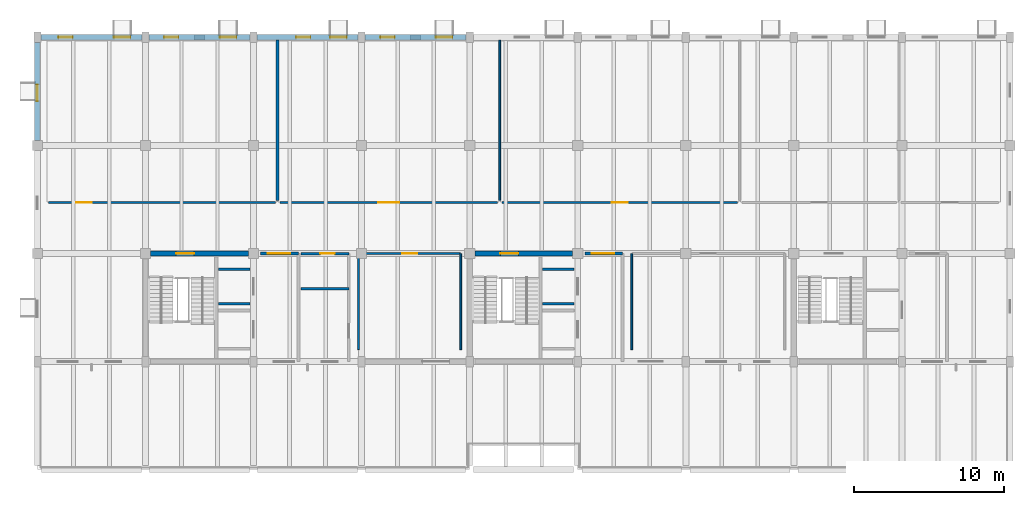
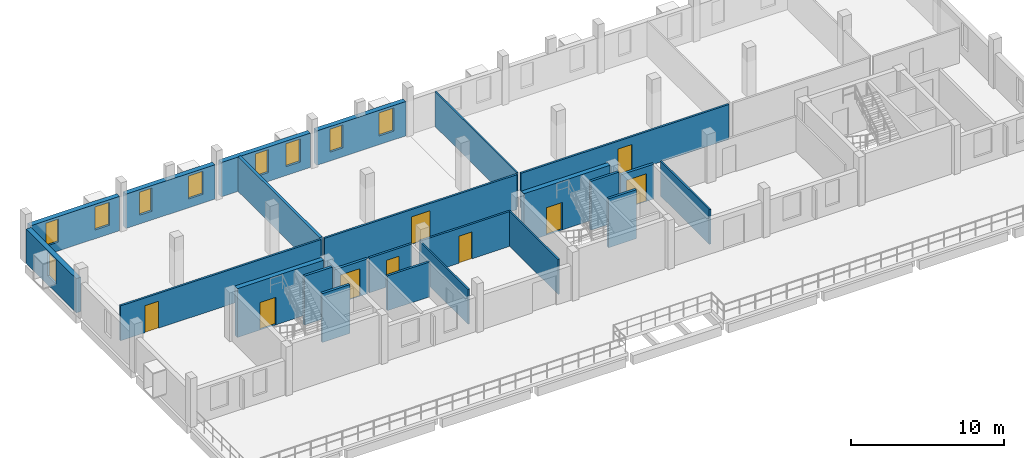
# One storey, part 10 of 14: 24 walls, 9 doors, 9 windows, 18 openings.
"""IFC4 building model written with IfcOpenShell, lengths in metres."""

import ifcopenshell
import ifcopenshell.guid

model = None  # the IFC model being written
_history = None  # IfcOwnerHistory: only IFC2X3 demands one
_inside = {}  # id of a spatial element -> (the spatial element, [elements in it])
_under = {}  # id of a project, library or spatial element -> (it, [spatial elements below it])
_declared = {}  # id of a project -> (the project, [libraries it declares])
_typed = {}  # id of a type object -> (the type object, [elements of that type])
_made_of = {}  # id of a material, layer set ... -> (it, [elements and type objects made of it])


def new_model(schema):
    """Start an empty IFC model of exactly this schema.

    Asked for "IFC4X3", IfcOpenShell would pick the latest addendum, in which some entities
    have other attributes; the version numbers below select the first issue.
    IFC2X3 requires an IfcOwnerHistory on every rooted entity: one is made here for all.
    """
    global model, _history
    if schema == "IFC4X3":
        model = ifcopenshell.file(schema_version=(4, 3, 0, 0))
    else:
        model = ifcopenshell.file(schema=schema)
    _inside.clear()
    _under.clear()
    _declared.clear()
    _typed.clear()
    _made_of.clear()
    _history = None
    if model.schema == "IFC2X3":
        org = make("IfcOrganization", Name="unknown")
        user = make(
            "IfcPersonAndOrganization",
            ThePerson=make("IfcPerson", FamilyName="unknown"),
            TheOrganization=org,
        )
        app = make(
            "IfcApplication",
            ApplicationDeveloper=org,
            Version="unknown",
            ApplicationFullName="unknown",
            ApplicationIdentifier="unknown",
        )
        _history = make(
            "IfcOwnerHistory",
            OwningUser=user,
            OwningApplication=app,
            ChangeAction="ADDED",
            CreationDate=0,
        )
    return model


def make(cls, **values):
    """One entity of the class cls with the attributes given. An attribute that is None is left unset."""
    return model.create_entity(
        cls, **{name: value for name, value in values.items() if value is not None}
    )


def rooted(cls, **values):
    """An entity with a GlobalId (a new one), such as an element, a storey or a relation."""
    return make(cls, GlobalId=ifcopenshell.guid.new(), OwnerHistory=_history, **values)


def si_unit(unit_type, name, prefix=None):
    """IfcSIUnit, for example si_unit("LENGTHUNIT", "METRE", prefix="MILLI")."""
    return make("IfcSIUnit", UnitType=unit_type, Prefix=prefix, Name=name)


def assignment(units):
    """IfcUnitAssignment: the units of a project."""
    return None if units is None else make("IfcUnitAssignment", Units=units)


def point(xyz):
    """IfcCartesianPoint."""
    return None if xyz is None else make("IfcCartesianPoint", Coordinates=xyz)


def direction(xyz):
    """IfcDirection."""
    return None if xyz is None else make("IfcDirection", DirectionRatios=xyz)


def frame(location, z_axis=None, x_axis=None):
    """IfcAxis2Placement3D, a coordinate frame: its origin and axes. An axis left out is left unset."""
    return make(
        "IfcAxis2Placement3D",
        Location=point(location),
        Axis=direction(z_axis),
        RefDirection=direction(x_axis),
    )


def frame_2d(location, x_axis=None):
    """IfcAxis2Placement2D, a coordinate frame in the plane: its origin and x axis."""
    return make(
        "IfcAxis2Placement2D", Location=point(location), RefDirection=direction(x_axis)
    )


def origin():
    """The frame at (0, 0, 0) with its axes left unset."""
    return frame((0.0, 0.0, 0.0))


def place(relative_to, where):
    """IfcLocalPlacement: puts the frame where relative to a parent placement (None: the world)."""
    return make(
        "IfcLocalPlacement", PlacementRelTo=relative_to, RelativePlacement=where
    )


def context(
    kind, dimensions, precision=None, world=None, true_north=None, identifier=None
):
    """IfcGeometricRepresentationContext, for example the 3D "Model" context."""
    return make(
        "IfcGeometricRepresentationContext",
        ContextIdentifier=identifier,
        ContextType=kind,
        CoordinateSpaceDimension=dimensions,
        Precision=precision,
        WorldCoordinateSystem=world,
        TrueNorth=true_north,
    )


def subcontext(parent, identifier, kind, view, scale=None):
    """IfcGeometricRepresentationSubContext, for example "Body" below "Model"."""
    return make(
        "IfcGeometricRepresentationSubContext",
        ContextIdentifier=identifier,
        ContextType=kind,
        ParentContext=parent,
        TargetScale=scale,
        TargetView=view,
    )


def project(units=None, contexts=None):
    """IfcProject with its units and contexts."""
    return rooted(
        "IfcProject",
        Name="project",
        RepresentationContexts=contexts,
        UnitsInContext=assignment(units),
    )


def spatial(cls, under=None, at=None, **own):
    """A site, building, storey or space (cls), placed at a placement, below another one or the project."""
    s = rooted(cls, ObjectPlacement=at, **own)
    if under is not None:
        _under.setdefault(under.id(), (under, []))[1].append(s)
    return s


def profile(cls, at=None, kind="AREA", **sizes):
    """A parametric profile (cls). Its sizes go by their IFC names, for example OverallWidth=200.0."""
    return make(cls, ProfileType=kind, Position=at, **sizes)


def rectangle(**sizes):
    """IfcRectangleProfileDef."""
    return profile("IfcRectangleProfileDef", **sizes)


def extrude(swept, where, along, depth):
    """IfcExtrudedAreaSolid: the profile swept, set in the frame where, extruded along a direction by depth."""
    return make(
        "IfcExtrudedAreaSolid",
        SweptArea=swept,
        Position=where,
        ExtrudedDirection=direction(along),
        Depth=depth,
    )


def shape(context_of_items, identifier, shape_type, items):
    """IfcShapeRepresentation: the items that make up one representation, for example the "Body"."""
    return make(
        "IfcShapeRepresentation",
        ContextOfItems=context_of_items,
        RepresentationIdentifier=identifier,
        RepresentationType=shape_type,
        Items=items,
    )


def material(Name=None, Category=None):
    """IfcMaterial."""
    return make("IfcMaterial", Name=Name, Category=Category)


def layer(
    of_material, thickness, ventilated=None, Name=None, Category=None, Priority=None
):
    """IfcMaterialLayer: one layer of a wall or slab, of a material (None: an air gap)."""
    return make(
        "IfcMaterialLayer",
        Material=of_material,
        LayerThickness=thickness,
        IsVentilated=ventilated,
        Name=Name,
        Category=Category,
        Priority=Priority,
    )


def layer_set(layers, Name=None):
    """IfcMaterialLayerSet."""
    return make("IfcMaterialLayerSet", MaterialLayers=layers, LayerSetName=Name)


def made_of(thing, what):
    """Note that an element or type object is made of a material, layer set ...; save() writes the relation."""
    if what is not None:
        _made_of.setdefault(what.id(), (what, []))[1].append(thing)
    return thing


def type_object(cls, material=None, **own):
    """A type object (cls), such as IfcWallType, which elements share."""
    return made_of(rooted(cls, **own), material)


def element(
    cls,
    number,
    at=None,
    inside=None,
    cuts=None,
    type_object=None,
    material=None,
    context=None,
    identifier="Body",
    shape_type=None,
    held_by="IfcProductDefinitionShape",
    body=None,
    shapes=None,
    **own,
):
    """One element of the class cls, such as IfcWall. Its Tag is "e" and its number.

    at: its placement. inside: the storey or other place that contains it. cuts: it is an
    opening in that element (IfcRelVoidsElement). A single representation is given by context,
    identifier, shape_type and body (its items); several are given by shapes. held_by: the class
    of the entity that holds the representations. save() writes the other relations.
    """
    e = rooted(cls, Tag="e%d" % number, ObjectPlacement=at, **own)
    if body is not None:
        shapes = [shape(context, identifier, shape_type, body)]
    if shapes is not None:
        e.Representation = make(held_by, Representations=shapes)
    if inside is not None:
        _inside.setdefault(inside.id(), (inside, []))[1].append(e)
    if cuts is not None:
        rooted(
            "IfcRelVoidsElement", RelatingBuildingElement=cuts, RelatedOpeningElement=e
        )
    if type_object is not None:
        _typed.setdefault(type_object.id(), (type_object, []))[1].append(e)
    return made_of(e, material)


def fill(opening, filler):
    """IfcRelFillsElement: the door or window that sits in an opening."""
    return rooted(
        "IfcRelFillsElement",
        RelatingOpeningElement=opening,
        RelatedBuildingElement=filler,
    )


def aggregate(whole, parts):
    """IfcRelAggregates: a whole, such as a stair, and the parts it consists of."""
    return rooted("IfcRelAggregates", RelatingObject=whole, RelatedObjects=parts)


def save(model, path):
    """Write the relations noted so far, then the file.

    IfcRelAggregates (storeys below a building ...), IfcRelContainedInSpatialStructure (elements
    in a storey), IfcRelDefinesByType, IfcRelAssociatesMaterial and IfcRelDeclares: one each for
    every whole, place, type object, material and project.
    """
    for whole, parts in _under.values():
        aggregate(whole, parts)
    for where, things in _inside.values():
        rooted(
            "IfcRelContainedInSpatialStructure",
            RelatedElements=things,
            RelatingStructure=where,
        )
    for kind, things in _typed.values():
        rooted("IfcRelDefinesByType", RelatedObjects=things, RelatingType=kind)
    for what, things in _made_of.values():
        rooted("IfcRelAssociatesMaterial", RelatedObjects=things, RelatingMaterial=what)
    for by, libraries in _declared.values():
        rooted("IfcRelDeclares", RelatingContext=by, RelatedDefinitions=libraries)
    model.write(path)


model = new_model("IFC4")

# Units and contexts
model_context = context("Model", 3, precision=1e-05, world=origin(), true_north=direction((0.0, 1.0)))
body_context = subcontext(model_context, "Body", "Model", "MODEL_VIEW")
ifc_project = project(units=[si_unit("LENGTHUNIT", "METRE"), si_unit("AREAUNIT", "SQUARE_METRE"), si_unit("VOLUMEUNIT", "CUBIC_METRE"), si_unit("PLANEANGLEUNIT", "RADIAN"), si_unit("MASSUNIT", "GRAM", prefix="KILO")], contexts=[model_context])

# Site, building, storey
site_placement = place(None, origin())
site = spatial("IfcSite", under=ifc_project, at=site_placement, CompositionType="ELEMENT")
building_placement = place(site_placement, origin())
building = spatial("IfcBuilding", under=site, at=building_placement, Name="Qiaolan Assembly House", CompositionType="ELEMENT")
storey_placement = place(building_placement, frame((0.0, 0.0, 22.5)))
storey = spatial("IfcBuildingStorey", under=building, at=storey_placement, Name="L05", CompositionType="ELEMENT", Elevation=22.5)

# Wall, opening, door
ifc_material_1 = material(Name="Concrete C40/50", Category="concrete")
ifc_layer_1 = layer(ifc_material_1, 0.35009765625)
ifc_layer_set_1 = layer_set([ifc_layer_1], Name="Concrete C40/50")
wall_type_1 = type_object("IfcWallType", Name="WAL-CORE-350", PredefinedType="SHEAR", material=ifc_layer_set_1)
wall_1_placement = place(storey_placement, frame((50.050048828125, 100.800048828125, 0.0), z_axis=(0.0, 0.0, 1.0), x_axis=(-1.0, 0.0, 0.0)))
wall_1 = element("IfcWall", 1, at=wall_1_placement, inside=storey, type_object=wall_type_1, Name="CW-350 shear core wall CORE-A N L05", PredefinedType="SHEAR", context=body_context, shape_type="SweptSolid", body=[
    extrude(rectangle(XDim=6.5, YDim=0.35009765625, at=frame_2d((3.25, 0.0))), origin(), (0.0, 0.0, 1.0), 3.89990234375),
])
opening_1_placement = place(wall_1_placement, frame((3.60009765625, 0.0, 0.0)))
opening_1 = element("IfcOpeningElement", 2, at=opening_1_placement, cuts=wall_1, Name="Opening FD-023", PredefinedType="OPENING", context=body_context, shape_type="SweptSolid", body=[
    extrude(rectangle(XDim=1.199951171875, YDim=2.199951171875, at=frame_2d((0.60009765625, 1.10009765625))), frame((0.0, 0.18505859375, 0.0), z_axis=(0.0, -1.0, 0.0), x_axis=(1.0, 0.0, 0.0)), (0.0, 0.0, 1.0), 0.3701171875),
])
ifc_material_2 = material(Name="Steel Q355B", Category="steel")
door_type_1 = type_object("IfcDoorType", Name="DOR-FIRE-FD90-1200", OperationType="NOTDEFINED", PredefinedType="DOOR", material=ifc_material_2)
door_1_placement = place(opening_1_placement, frame((1.199951171875, 0.0, 0.0), z_axis=(0.0, 0.0, 1.0), x_axis=(-1.0, 0.0, 0.0)))
door_1 = element("IfcDoor", 3, at=door_1_placement, inside=storey, type_object=door_type_1, Name="Stairwell fire door FD-023 (CORE-A L05)", OperationType="SINGLE_SWING_RIGHT", OverallHeight=2.199951171875, OverallWidth=1.199951171875, PredefinedType="DOOR", context=body_context, shape_type="SweptSolid", body=[
    extrude(rectangle(XDim=1.199951171875, YDim=2.199951171875, at=frame_2d((0.60009765625, 1.10009765625))), frame((0.0, 0.02490234375, 0.0), z_axis=(0.0, -1.0, 0.0), x_axis=(1.0, 0.0, 0.0)), (0.0, 0.0, 1.0), 0.050048828125),
])
fill(opening_1, door_1)

wall_2_placement = place(storey_placement, frame((71.64990234375, 100.800048828125, 0.0), z_axis=(0.0, 0.0, 1.0), x_axis=(-1.0, 0.0, 0.0)))
wall_2 = element("IfcWall", 4, at=wall_2_placement, inside=storey, type_object=wall_type_1, Name="CW-350 shear core wall CORE-B N L05", PredefinedType="SHEAR", context=body_context, shape_type="SweptSolid", body=[
    extrude(rectangle(XDim=6.5, YDim=0.35009765625, at=frame_2d((3.25, 0.0))), origin(), (0.0, 0.0, 1.0), 3.89990234375),
])
opening_2_placement = place(wall_2_placement, frame((3.60009765625, 0.0, 0.0)))
opening_2 = element("IfcOpeningElement", 5, at=opening_2_placement, cuts=wall_2, Name="Opening FD-047", PredefinedType="OPENING", context=body_context, shape_type="SweptSolid", body=[
    extrude(rectangle(XDim=1.199951171875, YDim=2.199951171875, at=frame_2d((0.60009765625, 1.10009765625))), frame((0.0, 0.18505859375, 0.0), z_axis=(0.0, -1.0, 0.0), x_axis=(1.0, 0.0, 0.0)), (0.0, 0.0, 1.0), 0.3701171875),
])
door_2_placement = place(opening_2_placement, frame((1.199951171875, 0.0, 0.0), z_axis=(0.0, 0.0, 1.0), x_axis=(-1.0, 0.0, 0.0)))
door_2 = element("IfcDoor", 6, at=door_2_placement, inside=storey, type_object=door_type_1, Name="Stairwell fire door FD-047 (CORE-B L05)", OperationType="SINGLE_SWING_LEFT", OverallHeight=2.199951171875, OverallWidth=1.199951171875, PredefinedType="DOOR", context=body_context, shape_type="SweptSolid", body=[
    extrude(rectangle(XDim=1.199951171875, YDim=2.199951171875, at=frame_2d((0.60009765625, 1.10009765625))), frame((0.0, 0.02490234375, 0.0), z_axis=(0.0, -1.0, 0.0), x_axis=(1.0, 0.0, 0.0)), (0.0, 0.0, 1.0), 0.050048828125),
])
fill(opening_2, door_2)

# Wall, openings, windows
ifc_material_3 = material(Name="Honed pale limestone", Category="masonry")
ifc_layer_2 = layer(ifc_material_3, 0.360107421875)
ifc_layer_set_2 = layer_set([ifc_layer_2], Name="Honed pale limestone")
wall_type_2 = type_object("IfcWallType", Name="WAL-EXT-LIMESTONE-360", PredefinedType="SOLIDWALL", material=ifc_layer_set_2)
wall_3_placement = place(storey_placement, frame((42.9619140625, 115.199951171875, 0.0), z_axis=(0.0, 0.0, 1.0), x_axis=(-1.0, 0.0, 0.0)))
wall_3 = element("IfcWall", 7, at=wall_3_placement, inside=storey, type_object=wall_type_2, Name="EW-360 NW North street wall L05 bay 1", PredefinedType="SOLIDWALL", context=body_context, shape_type="SweptSolid", body=[
    extrude(rectangle(XDim=6.723876953125, YDim=0.360107421875, at=frame_2d((3.36181640625, 0.0))), origin(), (0.0, 0.0, 1.0), 2.739990234375),
])
opening_3_placement = place(wall_3_placement, frame((0.761962890625, 0.0, 0.699951171875)))
opening_3 = element("IfcOpeningElement", 8, at=opening_3_placement, cuts=wall_3, Name="Opening WN-156", PredefinedType="OPENING", context=body_context, shape_type="SweptSolid", body=[
    extrude(rectangle(XDim=1.10009765625, YDim=1.840087890625, at=frame_2d((0.550048828125, 0.919921875))), frame((0.0, 0.18994140625, 0.0), z_axis=(0.0, -1.0, 0.0), x_axis=(1.0, 0.0, 0.0)), (0.0, 0.0, 1.0), 0.380126953125),
])
opening_4_placement = place(wall_3_placement, frame((4.612060546875, 0.0, 0.699951171875)))
opening_4 = element("IfcOpeningElement", 9, at=opening_4_placement, cuts=wall_3, Name="Opening WN-157", PredefinedType="OPENING", context=body_context, shape_type="SweptSolid", body=[
    extrude(rectangle(XDim=0.949951171875, YDim=1.840087890625, at=frame_2d((0.47509765625, 0.919921875))), frame((0.0, 0.18994140625, 0.0), z_axis=(0.0, -1.0, 0.0), x_axis=(1.0, 0.0, 0.0)), (0.0, 0.0, 1.0), 0.380126953125),
])
ifc_material_4 = material(Name="Low-E double insulating glass", Category="glass")
window_type_1 = type_object("IfcWindowType", Name="WIN-BOX-1100x2350", PartitioningType="SINGLE_PANEL", PredefinedType="WINDOW", material=ifc_material_4)
window_1_placement = place(opening_3_placement, origin())
window_1 = element("IfcWindow", 10, at=window_1_placement, inside=storey, type_object=window_type_1, Name="WN-T11 window WN-156", OverallHeight=1.840087890625, OverallWidth=1.10009765625, PartitioningType="SINGLE_PANEL", PredefinedType="WINDOW", context=body_context, shape_type="SweptSolid", body=[
    extrude(rectangle(XDim=1.10009765625, YDim=1.840087890625, at=frame_2d((0.550048828125, 0.919921875))), frame((0.0, 0.030029296875, 0.0), z_axis=(0.0, -1.0, 0.0), x_axis=(1.0, 0.0, 0.0)), (0.0, 0.0, 1.0), 0.06005859375),
])
fill(opening_3, window_1)
window_type_2 = type_object("IfcWindowType", Name="WIN-PUNCH-950x2150", PartitioningType="SINGLE_PANEL", PredefinedType="WINDOW", material=ifc_material_4)
window_2_placement = place(opening_4_placement, origin())
window_2 = element("IfcWindow", 11, at=window_2_placement, inside=storey, type_object=window_type_2, Name="WN-T14 window WN-157", OverallHeight=1.840087890625, OverallWidth=0.949951171875, PartitioningType="SINGLE_PANEL", PredefinedType="WINDOW", context=body_context, shape_type="SweptSolid", body=[
    extrude(rectangle(XDim=0.949951171875, YDim=1.840087890625, at=frame_2d((0.47509765625, 0.919921875))), frame((0.0, 0.030029296875, 0.0), z_axis=(0.0, -1.0, 0.0), x_axis=(1.0, 0.0, 0.0)), (0.0, 0.0, 1.0), 0.06005859375),
])
fill(opening_4, window_2)

wall_4_placement = place(storey_placement, frame((50.162109375, 115.199951171875, 0.0), z_axis=(0.0, 0.0, 1.0), x_axis=(-1.0, 0.0, 0.0)))
wall_4 = element("IfcWall", 12, at=wall_4_placement, inside=storey, type_object=wall_type_2, Name="EW-360 NW North street wall L05 bay 2", PredefinedType="SOLIDWALL", context=body_context, shape_type="SweptSolid", body=[
    extrude(rectangle(XDim=6.72412109375, YDim=0.360107421875, at=frame_2d((3.362060546875, 0.0))), origin(), (0.0, 0.0, 1.0), 2.739990234375),
])
opening_5_placement = place(wall_4_placement, frame((0.912109375, 0.0, 0.699951171875)))
opening_5 = element("IfcOpeningElement", 13, at=opening_5_placement, cuts=wall_4, Name="Opening WN-158", PredefinedType="OPENING", context=body_context, shape_type="SweptSolid", body=[
    extrude(rectangle(XDim=1.10009765625, YDim=1.840087890625, at=frame_2d((0.550048828125, 0.919921875))), frame((0.0, 0.18994140625, 0.0), z_axis=(0.0, -1.0, 0.0), x_axis=(1.0, 0.0, 0.0)), (0.0, 0.0, 1.0), 0.380126953125),
])
opening_6_placement = place(wall_4_placement, frame((4.761962890625, 0.0, 0.699951171875)))
opening_6 = element("IfcOpeningElement", 14, at=opening_6_placement, cuts=wall_4, Name="Opening WN-159", PredefinedType="OPENING", context=body_context, shape_type="SweptSolid", body=[
    extrude(rectangle(XDim=0.949951171875, YDim=1.840087890625, at=frame_2d((0.47509765625, 0.919921875))), frame((0.0, 0.18994140625, 0.0), z_axis=(0.0, -1.0, 0.0), x_axis=(1.0, 0.0, 0.0)), (0.0, 0.0, 1.0), 0.380126953125),
])
window_3_placement = place(opening_5_placement, origin())
window_3 = element("IfcWindow", 15, at=window_3_placement, inside=storey, type_object=window_type_1, Name="WN-T11 window WN-158", OverallHeight=1.840087890625, OverallWidth=1.10009765625, PartitioningType="SINGLE_PANEL", PredefinedType="WINDOW", context=body_context, shape_type="SweptSolid", body=[
    extrude(rectangle(XDim=1.10009765625, YDim=1.840087890625, at=frame_2d((0.550048828125, 0.919921875))), frame((0.0, 0.030029296875, 0.0), z_axis=(0.0, -1.0, 0.0), x_axis=(1.0, 0.0, 0.0)), (0.0, 0.0, 1.0), 0.06005859375),
])
fill(opening_5, window_3)
window_4_placement = place(opening_6_placement, origin())
window_4 = element("IfcWindow", 16, at=window_4_placement, inside=storey, type_object=window_type_2, Name="WN-T14 window WN-159", OverallHeight=1.840087890625, OverallWidth=0.949951171875, PartitioningType="SINGLE_PANEL", PredefinedType="WINDOW", context=body_context, shape_type="SweptSolid", body=[
    extrude(rectangle(XDim=0.949951171875, YDim=1.840087890625, at=frame_2d((0.47509765625, 0.919921875))), frame((0.0, 0.030029296875, 0.0), z_axis=(0.0, -1.0, 0.0), x_axis=(1.0, 0.0, 0.0)), (0.0, 0.0, 1.0), 0.06005859375),
])
fill(opening_6, window_4)

wall_5_placement = place(storey_placement, frame((57.362060546875, 115.199951171875, 0.0), z_axis=(0.0, 0.0, 1.0), x_axis=(-1.0, 0.0, 0.0)))
wall_5 = element("IfcWall", 17, at=wall_5_placement, inside=storey, type_object=wall_type_2, Name="EW-360 NW North street wall L05 bay 3", PredefinedType="SOLIDWALL", context=body_context, shape_type="SweptSolid", body=[
    extrude(rectangle(XDim=6.72412109375, YDim=0.360107421875, at=frame_2d((3.362060546875, 0.0))), origin(), (0.0, 0.0, 1.0), 2.739990234375),
])
opening_7_placement = place(wall_5_placement, frame((0.761962890625, 0.0, 0.699951171875)))
opening_7 = element("IfcOpeningElement", 18, at=opening_7_placement, cuts=wall_5, Name="Opening WN-160", PredefinedType="OPENING", context=body_context, shape_type="SweptSolid", body=[
    extrude(rectangle(XDim=1.10009765625, YDim=1.840087890625, at=frame_2d((0.550048828125, 0.919921875))), frame((0.0, 0.18994140625, 0.0), z_axis=(0.0, -1.0, 0.0), x_axis=(1.0, 0.0, 0.0)), (0.0, 0.0, 1.0), 0.380126953125),
])
opening_8_placement = place(wall_5_placement, frame((3.178955078125, 0.0, 0.699951171875)))
opening_8 = element("IfcOpeningElement", 19, at=opening_8_placement, cuts=wall_5, Name="Opening WN-161", PredefinedType="OPENING", context=body_context, shape_type="SweptSolid", body=[
    extrude(rectangle(XDim=0.949951171875, YDim=1.840087890625, at=frame_2d((0.47509765625, 0.919921875))), frame((0.0, 0.18994140625, 0.0), z_axis=(0.0, -1.0, 0.0), x_axis=(1.0, 0.0, 0.0)), (0.0, 0.0, 1.0), 0.380126953125),
])
window_5_placement = place(opening_7_placement, origin())
window_5 = element("IfcWindow", 20, at=window_5_placement, inside=storey, type_object=window_type_1, Name="WN-T11 window WN-160", OverallHeight=1.840087890625, OverallWidth=1.10009765625, PartitioningType="SINGLE_PANEL", PredefinedType="WINDOW", context=body_context, shape_type="SweptSolid", body=[
    extrude(rectangle(XDim=1.10009765625, YDim=1.840087890625, at=frame_2d((0.550048828125, 0.919921875))), frame((0.0, 0.030029296875, 0.0), z_axis=(0.0, -1.0, 0.0), x_axis=(1.0, 0.0, 0.0)), (0.0, 0.0, 1.0), 0.06005859375),
])
fill(opening_7, window_5)
window_6_placement = place(opening_8_placement, origin())
window_6 = element("IfcWindow", 21, at=window_6_placement, inside=storey, type_object=window_type_2, Name="WN-T14 window WN-161", OverallHeight=1.840087890625, OverallWidth=0.949951171875, PartitioningType="SINGLE_PANEL", PredefinedType="WINDOW", context=body_context, shape_type="SweptSolid", body=[
    extrude(rectangle(XDim=0.949951171875, YDim=1.840087890625, at=frame_2d((0.47509765625, 0.919921875))), frame((0.0, 0.030029296875, 0.0), z_axis=(0.0, -1.0, 0.0), x_axis=(1.0, 0.0, 0.0)), (0.0, 0.0, 1.0), 0.06005859375),
])
fill(opening_8, window_6)

wall_6_placement = place(storey_placement, frame((64.56201171875, 115.199951171875, 0.0), z_axis=(0.0, 0.0, 1.0), x_axis=(-1.0, 0.0, 0.0)))
wall_6 = element("IfcWall", 22, at=wall_6_placement, inside=storey, type_object=wall_type_2, Name="EW-360 NW North street wall L05 bay 4", PredefinedType="SOLIDWALL", context=body_context, shape_type="SweptSolid", body=[
    extrude(rectangle(XDim=6.72412109375, YDim=0.360107421875, at=frame_2d((3.362060546875, 0.0))), origin(), (0.0, 0.0, 1.0), 2.739990234375),
])
opening_9_placement = place(wall_6_placement, frame((0.912109375, 0.0, 0.699951171875)))
opening_9 = element("IfcOpeningElement", 23, at=opening_9_placement, cuts=wall_6, Name="Opening WN-162", PredefinedType="OPENING", context=body_context, shape_type="SweptSolid", body=[
    extrude(rectangle(XDim=1.10009765625, YDim=1.840087890625, at=frame_2d((0.550048828125, 0.919921875))), frame((0.0, 0.18994140625, 0.0), z_axis=(0.0, -1.0, 0.0), x_axis=(1.0, 0.0, 0.0)), (0.0, 0.0, 1.0), 0.380126953125),
])
opening_10_placement = place(wall_6_placement, frame((4.761962890625, 0.0, 0.699951171875)))
opening_10 = element("IfcOpeningElement", 24, at=opening_10_placement, cuts=wall_6, Name="Opening WN-163", PredefinedType="OPENING", context=body_context, shape_type="SweptSolid", body=[
    extrude(rectangle(XDim=0.949951171875, YDim=1.840087890625, at=frame_2d((0.47509765625, 0.919921875))), frame((0.0, 0.18994140625, 0.0), z_axis=(0.0, -1.0, 0.0), x_axis=(1.0, 0.0, 0.0)), (0.0, 0.0, 1.0), 0.380126953125),
])
window_7_placement = place(opening_9_placement, origin())
window_7 = element("IfcWindow", 25, at=window_7_placement, inside=storey, type_object=window_type_1, Name="WN-T11 window WN-162", OverallHeight=1.840087890625, OverallWidth=1.10009765625, PartitioningType="SINGLE_PANEL", PredefinedType="WINDOW", context=body_context, shape_type="SweptSolid", body=[
    extrude(rectangle(XDim=1.10009765625, YDim=1.840087890625, at=frame_2d((0.550048828125, 0.919921875))), frame((0.0, 0.030029296875, 0.0), z_axis=(0.0, -1.0, 0.0), x_axis=(1.0, 0.0, 0.0)), (0.0, 0.0, 1.0), 0.06005859375),
])
fill(opening_9, window_7)
window_8_placement = place(opening_10_placement, origin())
window_8 = element("IfcWindow", 26, at=window_8_placement, inside=storey, type_object=window_type_2, Name="WN-T14 window WN-163", OverallHeight=1.840087890625, OverallWidth=0.949951171875, PartitioningType="SINGLE_PANEL", PredefinedType="WINDOW", context=body_context, shape_type="SweptSolid", body=[
    extrude(rectangle(XDim=0.949951171875, YDim=1.840087890625, at=frame_2d((0.47509765625, 0.919921875))), frame((0.0, 0.030029296875, 0.0), z_axis=(0.0, -1.0, 0.0), x_axis=(1.0, 0.0, 0.0)), (0.0, 0.0, 1.0), 0.06005859375),
])
fill(opening_10, window_8)

# Wall, opening, window
wall_7_placement = place(storey_placement, frame((36.0, 108.322998046875, 0.0), z_axis=(0.0, 0.0, 1.0), x_axis=(0.0, 1.0, 0.0)))
wall_7 = element("IfcWall", 27, at=wall_7_placement, inside=storey, type_object=wall_type_2, Name="NW West avenue wall L05-3", PredefinedType="SOLIDWALL", context=body_context, shape_type="SweptSolid", body=[
    extrude(rectangle(XDim=6.52392578125, YDim=0.360107421875, at=frame_2d((3.261962890625, 0.0))), origin(), (0.0, 0.0, 1.0), 2.739990234375),
])
opening_11_placement = place(wall_7_placement, frame((2.626953125, 0.0, 0.699951171875)))
opening_11 = element("IfcOpeningElement", 28, at=opening_11_placement, cuts=wall_7, Name="Opening WN-186", PredefinedType="OPENING", context=body_context, shape_type="SweptSolid", body=[
    extrude(rectangle(XDim=1.10009765625, YDim=1.889892578125, at=frame_2d((0.550048828125, 0.94482421875))), frame((0.0, 0.18994140625, 0.0), z_axis=(0.0, -1.0, 0.0), x_axis=(1.0, 0.0, 0.0)), (0.0, 0.0, 1.0), 0.380126953125),
])
window_9_placement = place(opening_11_placement, origin())
window_9 = element("IfcWindow", 29, at=window_9_placement, inside=storey, type_object=window_type_1, Name="NW West window WN-186", OverallHeight=1.889892578125, OverallWidth=1.10009765625, PartitioningType="SINGLE_PANEL", PredefinedType="WINDOW", context=body_context, shape_type="SweptSolid", body=[
    extrude(rectangle(XDim=1.10009765625, YDim=1.889892578125, at=frame_2d((0.550048828125, 0.94482421875))), frame((0.0, 0.030029296875, 0.0), z_axis=(0.0, -1.0, 0.0), x_axis=(1.0, 0.0, 0.0)), (0.0, 0.0, 1.0), 0.06005859375),
])
fill(opening_11, window_9)

# Wall, opening, door
ifc_material_5 = material(Name="Concrete C35/45", Category="concrete")
ifc_layer_3 = layer(ifc_material_5, 0.199951171875)
ifc_layer_set_3 = layer_set([ifc_layer_3], Name="Concrete C35/45")
wall_type_3 = type_object("IfcWallType", Name="WAL-LOBBY-200", PredefinedType="PARTITIONING", material=ifc_layer_set_3)
wall_8_placement = place(storey_placement, frame((53.39990234375, 100.800048828125, 0.0), z_axis=(0.0, 0.0, 1.0), x_axis=(-1.0, 0.0, 0.0)))
wall_8 = element("IfcWall", 30, at=wall_8_placement, inside=storey, type_object=wall_type_3, Name="Firefighting lift lobby north wall CORE-A L05", PredefinedType="PARTITIONING", context=body_context, shape_type="SweptSolid", body=[
    extrude(rectangle(XDim=2.52001953125, YDim=0.199951171875, at=frame_2d((1.260009765625, 0.0))), origin(), (0.0, 0.0, 1.0), 2.780029296875),
])
opening_12_placement = place(wall_8_placement, frame((0.550048828125, 0.0, 0.0)))
opening_12 = element("IfcOpeningElement", 31, at=opening_12_placement, cuts=wall_8, Name="Opening FD-024", PredefinedType="OPENING", context=body_context, shape_type="SweptSolid", body=[
    extrude(rectangle(XDim=1.5, YDim=2.199951171875, at=frame_2d((0.75, 1.10009765625))), frame((0.0, 0.10986328125, 0.0), z_axis=(0.0, -1.0, 0.0), x_axis=(1.0, 0.0, 0.0)), (0.0, 0.0, 1.0), 0.219970703125),
])
ifc_material_6 = material(Name="Acoustic oak panelling")
door_type_2 = type_object("IfcDoorType", Name="DOR-LOBBY-FD60-1500", OperationType="DOUBLE_DOOR_SINGLE_SWING", PredefinedType="DOOR", material=ifc_material_6)
door_3_placement = place(opening_12_placement, frame((1.5, 0.0, 0.0), z_axis=(0.0, 0.0, 1.0), x_axis=(-1.0, 0.0, 0.0)))
door_3 = element("IfcDoor", 32, at=door_3_placement, inside=storey, type_object=door_type_2, Name="Lobby corridor fire door FD-024", OperationType="DOUBLE_DOOR_SINGLE_SWING", OverallHeight=2.199951171875, OverallWidth=1.5, PredefinedType="DOOR", context=body_context, shape_type="SweptSolid", body=[
    extrude(rectangle(XDim=1.5, YDim=2.199951171875, at=frame_2d((0.75, 1.10009765625))), frame((0.0, 0.02490234375, 0.0), z_axis=(0.0, -1.0, 0.0), x_axis=(1.0, 0.0, 0.0)), (0.0, 0.0, 1.0), 0.050048828125),
])
fill(opening_12, door_3)

wall_9_placement = place(storey_placement, frame((75.0, 100.800048828125, 0.0), z_axis=(0.0, 0.0, 1.0), x_axis=(-1.0, 0.0, 0.0)))
wall_9 = element("IfcWall", 33, at=wall_9_placement, inside=storey, type_object=wall_type_3, Name="Firefighting lift lobby north wall CORE-B L05", PredefinedType="PARTITIONING", context=body_context, shape_type="SweptSolid", body=[
    extrude(rectangle(XDim=2.52001953125, YDim=0.199951171875, at=frame_2d((1.260009765625, 0.0))), origin(), (0.0, 0.0, 1.0), 2.780029296875),
])
opening_13_placement = place(wall_9_placement, frame((0.550048828125, 0.0, 0.0)))
opening_13 = element("IfcOpeningElement", 34, at=opening_13_placement, cuts=wall_9, Name="Opening FD-048", PredefinedType="OPENING", context=body_context, shape_type="SweptSolid", body=[
    extrude(rectangle(XDim=1.5, YDim=2.199951171875, at=frame_2d((0.75, 1.10009765625))), frame((0.0, 0.10986328125, 0.0), z_axis=(0.0, -1.0, 0.0), x_axis=(1.0, 0.0, 0.0)), (0.0, 0.0, 1.0), 0.219970703125),
])
door_4_placement = place(opening_13_placement, frame((1.5, 0.0, 0.0), z_axis=(0.0, 0.0, 1.0), x_axis=(-1.0, 0.0, 0.0)))
door_4 = element("IfcDoor", 35, at=door_4_placement, inside=storey, type_object=door_type_2, Name="Lobby corridor fire door FD-048", OperationType="DOUBLE_DOOR_SINGLE_SWING", OverallHeight=2.199951171875, OverallWidth=1.5, PredefinedType="DOOR", context=body_context, shape_type="SweptSolid", body=[
    extrude(rectangle(XDim=1.5, YDim=2.199951171875, at=frame_2d((0.75, 1.10009765625))), frame((0.0, 0.02490234375, 0.0), z_axis=(0.0, -1.0, 0.0), x_axis=(1.0, 0.0, 0.0)), (0.0, 0.0, 1.0), 0.050048828125),
])
fill(opening_13, door_4)

# Walls
ifc_material_7 = material(Name="Gypsum plasterboard partition")
ifc_layer_4 = layer(ifc_material_7, 0.1201171875)
ifc_layer_set_4 = layer_set([ifc_layer_4], Name="Gypsum plasterboard partition")
wall_type_4 = type_object("IfcWallType", Name="WAL-PART-120", PredefinedType="PARTITIONING", material=ifc_layer_set_4)
wall_10_placement = place(storey_placement, frame((66.800048828125, 104.35009765625, 0.0), z_axis=(0.0, 0.0, 1.0), x_axis=(0.0, 1.0, 0.0)))
element("IfcWall", 36, at=wall_10_placement, inside=storey, type_object=wall_type_4, Name="Cultural Affairs & Civic Heritage Office demising wall", PredefinedType="PARTITIONING", context=body_context, shape_type="SweptSolid", body=[
    extrude(rectangle(XDim=10.669921875, YDim=0.1201171875, at=frame_2d((5.3349609375, 0.0))), origin(), (0.0, 0.0, 1.0), 2.780029296875),
])
for number, where, z_axis, x_axis, name in (
    (37, (57.39990234375, 94.39990234375, 0.0), (0.0, 0.0, 1.0), (0.0, 1.0, 0.0), "South Terrace Garden Briefing Room west wall"),
    (38, (64.199951171875, 100.800048828125, 0.0), (0.0, 0.0, 1.0), (0.0, -1.0, 0.0), "South Terrace Garden Briefing Room east wall"),
    (39, (75.60009765625, 94.39990234375, 0.0), (0.0, 0.0, 1.0), (0.0, 1.0, 0.0), "Heritage Conservation Reference Studio west wall"),
):
    element("IfcWall", number, at=place(storey_placement, frame(where, z_axis=z_axis, x_axis=x_axis)), inside=storey, type_object=wall_type_4, Name=name, PredefinedType="PARTITIONING", context=body_context, shape_type="SweptSolid", body=[
        extrude(rectangle(XDim=6.400146484375, YDim=0.1201171875, at=frame_2d((3.2001953125, 0.0))), origin(), (0.0, 0.0, 1.0), 2.780029296875),
    ])

# Wall, opening, door
ifc_layer_5 = layer(ifc_material_7, 0.14990234375)
ifc_layer_set_5 = layer_set([ifc_layer_5], Name="Gypsum plasterboard partition")
wall_type_5 = type_object("IfcWallType", Name="WAL-PART-150", PredefinedType="PARTITIONING", material=ifc_layer_set_5)
wall_11_placement = place(storey_placement, frame((36.75, 104.199951171875, 0.0), z_axis=(0.0, 0.0, 1.0), x_axis=(1.0, 0.0, 0.0)))
wall_11 = element("IfcWall", 40, at=wall_11_placement, inside=storey, type_object=wall_type_5, Name="Environmental Protection & Parks Bureau corridor wall", PredefinedType="PARTITIONING", context=body_context, shape_type="SweptSolid", body=[
    extrude(rectangle(XDim=15.10009765625, YDim=0.14990234375, at=frame_2d((7.550048828125, 0.0))), origin(), (0.0, 0.0, 1.0), 2.780029296875),
])
opening_14_placement = place(wall_11_placement, frame((1.824951171875, 0.0, 0.0)))
opening_14 = element("IfcOpeningElement", 41, at=opening_14_placement, cuts=wall_11, Name="Opening ND-215", PredefinedType="OPENING", context=body_context, shape_type="SweptSolid", body=[
    extrude(rectangle(XDim=1.050048828125, YDim=2.14990234375, at=frame_2d((0.52490234375, 1.074951171875))), frame((0.0, 0.0849609375, 0.0), z_axis=(0.0, -1.0, 0.0), x_axis=(1.0, 0.0, 0.0)), (0.0, 0.0, 1.0), 0.169921875),
])
door_type_3 = type_object("IfcDoorType", Name="DOR-OFF-LRG-1050", OperationType="NOTDEFINED", PredefinedType="DOOR", material=ifc_material_6)
door_5_placement = place(opening_14_placement, origin())
door_5 = element("IfcDoor", 42, at=door_5_placement, inside=storey, type_object=door_type_3, Name="Environmental Protection & Parks Bureau door ND-215", OperationType="SINGLE_SWING_LEFT", OverallHeight=2.14990234375, OverallWidth=1.050048828125, PredefinedType="DOOR", context=body_context, shape_type="SweptSolid", body=[
    extrude(rectangle(XDim=1.050048828125, YDim=2.14990234375, at=frame_2d((0.52490234375, 1.074951171875))), frame((0.0, 0.02490234375, 0.0), z_axis=(0.0, -1.0, 0.0), x_axis=(1.0, 0.0, 0.0)), (0.0, 0.0, 1.0), 0.050048828125),
])
fill(opening_14, door_5)

wall_12_placement = place(storey_placement, frame((52.14990234375, 104.199951171875, 0.0), z_axis=(0.0, 0.0, 1.0), x_axis=(1.0, 0.0, 0.0)))
wall_12 = element("IfcWall", 43, at=wall_12_placement, inside=storey, type_object=wall_type_5, Name="Climate Resilience Joint Operations Room corridor wall", PredefinedType="PARTITIONING", context=body_context, shape_type="SweptSolid", body=[
    extrude(rectangle(XDim=14.5, YDim=0.14990234375, at=frame_2d((7.25, 0.0))), origin(), (0.0, 0.0, 1.0), 2.780029296875),
])
opening_15_placement = place(wall_12_placement, frame((6.550048828125, 0.0, 0.0)))
opening_15 = element("IfcOpeningElement", 44, at=opening_15_placement, cuts=wall_12, Name="Opening ND-216", PredefinedType="OPENING", context=body_context, shape_type="SweptSolid", body=[
    extrude(rectangle(XDim=1.39990234375, YDim=2.199951171875, at=frame_2d((0.699951171875, 1.10009765625))), frame((0.0, 0.0849609375, 0.0), z_axis=(0.0, -1.0, 0.0), x_axis=(1.0, 0.0, 0.0)), (0.0, 0.0, 1.0), 0.169921875),
])
door_type_4 = type_object("IfcDoorType", Name="DOR-ARCH-DBL-1400", OperationType="DOUBLE_DOOR_SINGLE_SWING", PredefinedType="DOOR", material=ifc_material_6)
door_6_placement = place(opening_15_placement, origin())
door_6 = element("IfcDoor", 45, at=door_6_placement, inside=storey, type_object=door_type_4, Name="Climate Resilience Joint Operations Room door ND-216", OperationType="DOUBLE_DOOR_SINGLE_SWING", OverallHeight=2.199951171875, OverallWidth=1.39990234375, PredefinedType="DOOR", context=body_context, shape_type="SweptSolid", body=[
    extrude(rectangle(XDim=1.39990234375, YDim=2.199951171875, at=frame_2d((0.699951171875, 1.10009765625))), frame((0.0, 0.02490234375, 0.0), z_axis=(0.0, -1.0, 0.0), x_axis=(1.0, 0.0, 0.0)), (0.0, 0.0, 1.0), 0.050048828125),
])
fill(opening_15, door_6)

wall_13_placement = place(storey_placement, frame((66.949951171875, 104.199951171875, 0.0), z_axis=(0.0, 0.0, 1.0), x_axis=(1.0, 0.0, 0.0)))
wall_13 = element("IfcWall", 46, at=wall_13_placement, inside=storey, type_object=wall_type_5, Name="Cultural Affairs & Civic Heritage Office corridor wall", PredefinedType="PARTITIONING", context=body_context, shape_type="SweptSolid", body=[
    extrude(rectangle(XDim=15.699951171875, YDim=0.14990234375, at=frame_2d((7.85009765625, 0.0))), origin(), (0.0, 0.0, 1.0), 2.780029296875),
])
opening_16_placement = place(wall_13_placement, frame((7.324951171875, 0.0, 0.0)))
opening_16 = element("IfcOpeningElement", 47, at=opening_16_placement, cuts=wall_13, Name="Opening ND-217", PredefinedType="OPENING", context=body_context, shape_type="SweptSolid", body=[
    extrude(rectangle(XDim=1.050048828125, YDim=2.14990234375, at=frame_2d((0.52490234375, 1.074951171875))), frame((0.0, 0.0849609375, 0.0), z_axis=(0.0, -1.0, 0.0), x_axis=(1.0, 0.0, 0.0)), (0.0, 0.0, 1.0), 0.169921875),
])
door_7_placement = place(opening_16_placement, origin())
door_7 = element("IfcDoor", 48, at=door_7_placement, inside=storey, type_object=door_type_3, Name="Cultural Affairs & Civic Heritage Office door ND-217", OperationType="SINGLE_SWING_RIGHT", OverallHeight=2.14990234375, OverallWidth=1.050048828125, PredefinedType="DOOR", context=body_context, shape_type="SweptSolid", body=[
    extrude(rectangle(XDim=1.050048828125, YDim=2.14990234375, at=frame_2d((0.52490234375, 1.074951171875))), frame((0.0, 0.02490234375, 0.0), z_axis=(0.0, -1.0, 0.0), x_axis=(1.0, 0.0, 0.0)), (0.0, 0.0, 1.0), 0.050048828125),
])
fill(opening_16, door_7)

wall_14_placement = place(storey_placement, frame((64.199951171875, 100.800048828125, 0.0), z_axis=(0.0, 0.0, 1.0), x_axis=(-1.0, 0.0, 0.0)))
wall_14 = element("IfcWall", 49, at=wall_14_placement, inside=storey, type_object=wall_type_5, Name="South Terrace Garden Briefing Room corridor wall", PredefinedType="PARTITIONING", context=body_context, shape_type="SweptSolid", body=[
    extrude(rectangle(XDim=6.800048828125, YDim=0.14990234375, at=frame_2d((3.39990234375, 0.0))), origin(), (0.0, 0.0, 1.0), 2.780029296875),
])
opening_17_placement = place(wall_14_placement, frame((2.89990234375, 0.0, 0.0)))
opening_17 = element("IfcOpeningElement", 50, at=opening_17_placement, cuts=wall_14, Name="Opening SD-220", PredefinedType="OPENING", context=body_context, shape_type="SweptSolid", body=[
    extrude(rectangle(XDim=1.0, YDim=2.14990234375, at=frame_2d((0.5, 1.074951171875))), frame((0.0, 0.0849609375, 0.0), z_axis=(0.0, -1.0, 0.0), x_axis=(1.0, 0.0, 0.0)), (0.0, 0.0, 1.0), 0.169921875),
])
door_type_5 = type_object("IfcDoorType", Name="DOR-OFF-SGL-1000", OperationType="NOTDEFINED", PredefinedType="DOOR", material=ifc_material_6)
door_8_placement = place(opening_17_placement, origin())
door_8 = element("IfcDoor", 51, at=door_8_placement, inside=storey, type_object=door_type_5, Name="South Terrace Garden Briefing Room door SD-220", OperationType="SINGLE_SWING_LEFT", OverallHeight=2.14990234375, OverallWidth=1.0, PredefinedType="DOOR", context=body_context, shape_type="SweptSolid", body=[
    extrude(rectangle(XDim=1.0, YDim=2.14990234375, at=frame_2d((0.5, 1.074951171875))), frame((0.0, 0.02490234375, 0.0), z_axis=(0.0, -1.0, 0.0), x_axis=(1.0, 0.0, 0.0)), (0.0, 0.0, 1.0), 0.050048828125),
])
fill(opening_17, door_8)

# Walls
ifc_material_8 = material(Name="Gypsum acoustic stud wall")
ifc_layer_6 = layer(ifc_material_8, 0.2119140625)
ifc_layer_set_6 = layer_set([ifc_layer_6], Name="Gypsum acoustic stud wall")
wall_type_6 = type_object("IfcWallType", Name="WAL-PART-ACOUSTIC-200", PredefinedType="PARTITIONING", material=ifc_layer_set_6)
wall_15_placement = place(storey_placement, frame((52.0, 104.35009765625, 0.0), z_axis=(0.0, 0.0, 1.0), x_axis=(0.0, 1.0, 0.0)))
element("IfcWall", 52, at=wall_15_placement, inside=storey, type_object=wall_type_6, Name="Climate Resilience Joint Operations Room demising wall", PredefinedType="PARTITIONING", context=body_context, shape_type="SweptSolid", body=[
    extrude(rectangle(XDim=10.669921875, YDim=0.2119140625, at=frame_2d((5.3349609375, 0.0))), origin(), (0.0, 0.0, 1.0), 2.780029296875),
])
ifc_layer_7 = layer(ifc_material_5, 0.18505859375)
ifc_layer_set_7 = layer_set([ifc_layer_7], Name="Concrete C35/45")
wall_type_7 = type_object("IfcWallType", Name="WAL-SHAFT-200", PredefinedType="PARTITIONING", material=ifc_layer_set_7)
for number, where, z_axis, x_axis, name in (
    (53, (48.050048828125, 97.449951171875, 0.0), (0.0, 0.0, 1.0), (1.0, 0.0, 0.0), "SW-200 lift shaft wall LF-02 L05 DIVS"),
    (54, (48.050048828125, 99.75, 0.0), (0.0, 0.0, 1.0), (1.0, 0.0, 0.0), "SW-200 lift shaft wall LF-02 L05 DIVN"),
):
    element("IfcWall", number, at=place(storey_placement, frame(where, z_axis=z_axis, x_axis=x_axis)), inside=storey, type_object=wall_type_7, Name=name, PredefinedType="PARTITIONING", context=body_context, shape_type="SweptSolid", body=[
        extrude(rectangle(XDim=2.099853515625, YDim=0.18505859375, at=frame_2d((1.0498046875, 0.0))), origin(), (0.0, 0.0, 1.0), 3.89990234375),
    ])
for number, where, z_axis, x_axis, name in (
    (55, (69.64990234375, 97.449951171875, 0.0), (0.0, 0.0, 1.0), (1.0, 0.0, 0.0), "SW-200 lift shaft wall LF-04 L05 DIVS"),
    (56, (69.64990234375, 99.75, 0.0), (0.0, 0.0, 1.0), (1.0, 0.0, 0.0), "SW-200 lift shaft wall LF-04 L05 DIVN"),
):
    element("IfcWall", number, at=place(storey_placement, frame(where, z_axis=z_axis, x_axis=x_axis)), inside=storey, type_object=wall_type_7, Name=name, PredefinedType="PARTITIONING", context=body_context, shape_type="SweptSolid", body=[
        extrude(rectangle(XDim=2.10009765625, YDim=0.18505859375, at=frame_2d((1.050048828125, 0.0))), origin(), (0.0, 0.0, 1.0), 3.89990234375),
    ])

# Wall, opening, door
ifc_material_9 = material(Name="Concrete C30/37", Category="concrete")
ifc_layer_8 = layer(ifc_material_9, 0.1650390625)
ifc_layer_set_8 = layer_set([ifc_layer_8], Name="Concrete C30/37")
wall_type_8 = type_object("IfcWallType", Name="WAL-WET-150", PredefinedType="PARTITIONING", material=ifc_layer_set_8)
wall_16_placement = place(storey_placement, frame((56.75, 100.800048828125, 0.0), z_axis=(0.0, 0.0, 1.0), x_axis=(-1.0, 0.0, 0.0)))
wall_16 = element("IfcWall", 57, at=wall_16_placement, inside=storey, type_object=wall_type_8, Name="Accessible WC corridor wall CORE-A L05", PredefinedType="PARTITIONING", context=body_context, shape_type="SweptSolid", body=[
    extrude(rectangle(XDim=3.199951171875, YDim=0.1650390625, at=frame_2d((1.60009765625, 0.0))), origin(), (0.0, 0.0, 1.0), 2.780029296875),
])
opening_18_placement = place(wall_16_placement, frame((0.949951171875, 0.0, 0.0)))
opening_18 = element("IfcOpeningElement", 58, at=opening_18_placement, cuts=wall_16, Name="Opening AD-026", PredefinedType="OPENING", context=body_context, shape_type="SweptSolid", body=[
    extrude(rectangle(XDim=0.949951171875, YDim=2.14990234375, at=frame_2d((0.47509765625, 1.074951171875))), frame((0.0, 0.092529296875, 0.0), z_axis=(0.0, -1.0, 0.0), x_axis=(1.0, 0.0, 0.0)), (0.0, 0.0, 1.0), 0.18505859375),
])
door_type_6 = type_object("IfcDoorType", Name="DOR-ACC-WC-950", OperationType="NOTDEFINED", PredefinedType="DOOR", material=ifc_material_6)
door_9_placement = place(opening_18_placement, origin())
door_9 = element("IfcDoor", 59, at=door_9_placement, inside=storey, type_object=door_type_6, Name="Accessible Restroom door AD-026", OperationType="SINGLE_SWING_RIGHT", OverallHeight=2.14990234375, OverallWidth=0.949951171875, PredefinedType="DOOR", context=body_context, shape_type="SweptSolid", body=[
    extrude(rectangle(XDim=0.949951171875, YDim=2.14990234375, at=frame_2d((0.47509765625, 1.074951171875))), frame((0.0, 0.02490234375, 0.0), z_axis=(0.0, -1.0, 0.0), x_axis=(1.0, 0.0, 0.0)), (0.0, 0.0, 1.0), 0.050048828125),
])
fill(opening_18, door_9)

# Wall
wall_17_placement = place(storey_placement, frame((53.550048828125, 98.449951171875, 0.0), z_axis=(0.0, 0.0, 1.0), x_axis=(1.0, 0.0, 0.0)))
element("IfcWall", 60, at=wall_17_placement, inside=storey, type_object=wall_type_8, Name="WC divider wall CORE-A L05", PredefinedType="PARTITIONING", context=body_context, shape_type="SweptSolid", body=[
    extrude(rectangle(XDim=3.199951171875, YDim=0.1650390625, at=frame_2d((1.60009765625, 0.0))), origin(), (0.0, 0.0, 1.0), 2.780029296875),
])

save(model, "model.ifc")
